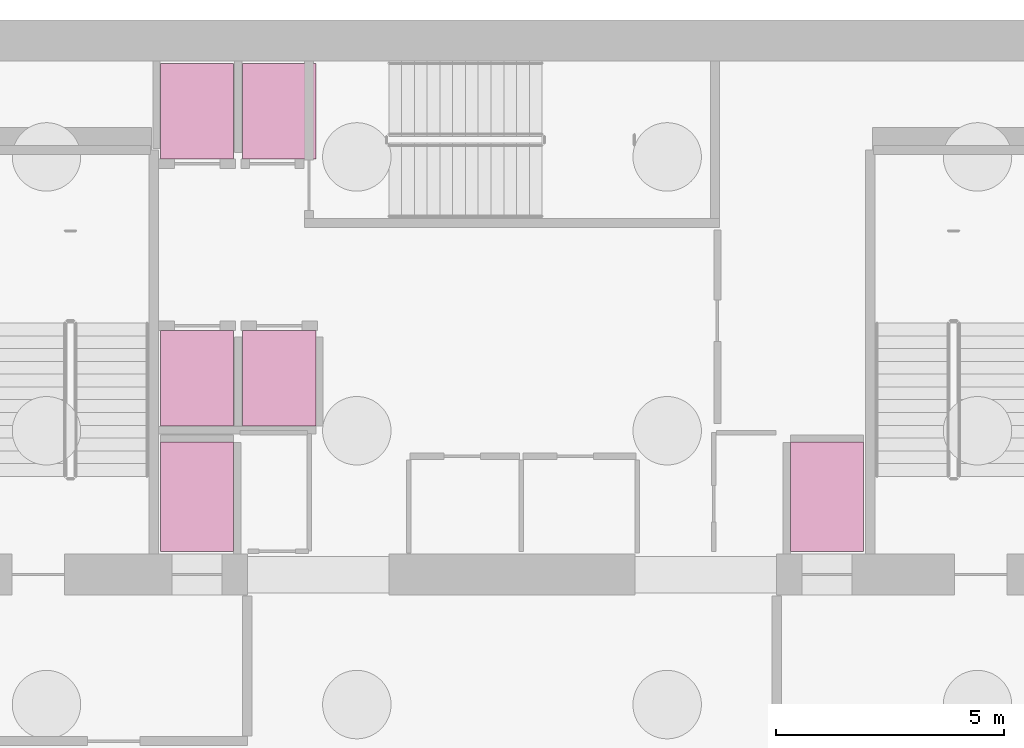
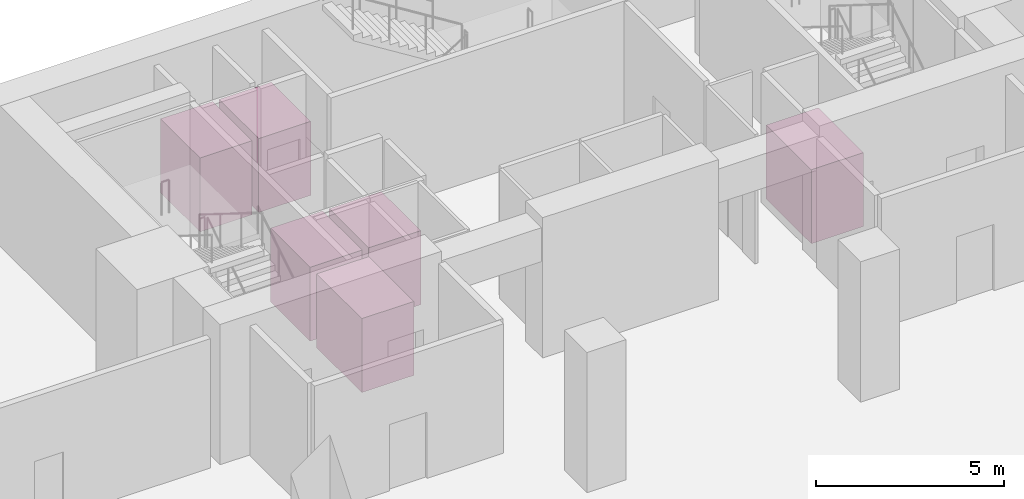
# One storey, part 9 of 9: 6 transport elements.
"""IFC4 building model written with IfcOpenShell, lengths in metres."""

import ifcopenshell
import ifcopenshell.guid

model = None  # the IFC model being written
_history = None  # IfcOwnerHistory: only IFC2X3 demands one
_inside = {}  # id of a spatial element -> (the spatial element, [elements in it])
_under = {}  # id of a project, library or spatial element -> (it, [spatial elements below it])
_declared = {}  # id of a project -> (the project, [libraries it declares])
_typed = {}  # id of a type object -> (the type object, [elements of that type])
_made_of = {}  # id of a material, layer set ... -> (it, [elements and type objects made of it])


def new_model(schema):
    """Start an empty IFC model of exactly this schema.

    Asked for "IFC4X3", IfcOpenShell would pick the latest addendum, in which some entities
    have other attributes; the version numbers below select the first issue.
    IFC2X3 requires an IfcOwnerHistory on every rooted entity: one is made here for all.
    """
    global model, _history
    if schema == "IFC4X3":
        model = ifcopenshell.file(schema_version=(4, 3, 0, 0))
    else:
        model = ifcopenshell.file(schema=schema)
    _inside.clear()
    _under.clear()
    _declared.clear()
    _typed.clear()
    _made_of.clear()
    _history = None
    if model.schema == "IFC2X3":
        org = make("IfcOrganization", Name="unknown")
        user = make(
            "IfcPersonAndOrganization",
            ThePerson=make("IfcPerson", FamilyName="unknown"),
            TheOrganization=org,
        )
        app = make(
            "IfcApplication",
            ApplicationDeveloper=org,
            Version="unknown",
            ApplicationFullName="unknown",
            ApplicationIdentifier="unknown",
        )
        _history = make(
            "IfcOwnerHistory",
            OwningUser=user,
            OwningApplication=app,
            ChangeAction="ADDED",
            CreationDate=0,
        )
    return model


def make(cls, **values):
    """One entity of the class cls with the attributes given. An attribute that is None is left unset."""
    return model.create_entity(
        cls, **{name: value for name, value in values.items() if value is not None}
    )


def rooted(cls, **values):
    """An entity with a GlobalId (a new one), such as an element, a storey or a relation."""
    return make(cls, GlobalId=ifcopenshell.guid.new(), OwnerHistory=_history, **values)


def si_unit(unit_type, name, prefix=None):
    """IfcSIUnit, for example si_unit("LENGTHUNIT", "METRE", prefix="MILLI")."""
    return make("IfcSIUnit", UnitType=unit_type, Prefix=prefix, Name=name)


def assignment(units):
    """IfcUnitAssignment: the units of a project."""
    return None if units is None else make("IfcUnitAssignment", Units=units)


def point(xyz):
    """IfcCartesianPoint."""
    return None if xyz is None else make("IfcCartesianPoint", Coordinates=xyz)


def direction(xyz):
    """IfcDirection."""
    return None if xyz is None else make("IfcDirection", DirectionRatios=xyz)


def frame(location, z_axis=None, x_axis=None):
    """IfcAxis2Placement3D, a coordinate frame: its origin and axes. An axis left out is left unset."""
    return make(
        "IfcAxis2Placement3D",
        Location=point(location),
        Axis=direction(z_axis),
        RefDirection=direction(x_axis),
    )


def frame_2d(location, x_axis=None):
    """IfcAxis2Placement2D, a coordinate frame in the plane: its origin and x axis."""
    return make(
        "IfcAxis2Placement2D", Location=point(location), RefDirection=direction(x_axis)
    )


def origin():
    """The frame at (0, 0, 0) with its axes left unset."""
    return frame((0.0, 0.0, 0.0))


def origin_2d():
    """The frame at (0, 0) in the plane with its x axis left unset."""
    return frame_2d((0.0, 0.0))


def place(relative_to, where):
    """IfcLocalPlacement: puts the frame where relative to a parent placement (None: the world)."""
    return make(
        "IfcLocalPlacement", PlacementRelTo=relative_to, RelativePlacement=where
    )


def context(
    kind, dimensions, precision=None, world=None, true_north=None, identifier=None
):
    """IfcGeometricRepresentationContext, for example the 3D "Model" context."""
    return make(
        "IfcGeometricRepresentationContext",
        ContextIdentifier=identifier,
        ContextType=kind,
        CoordinateSpaceDimension=dimensions,
        Precision=precision,
        WorldCoordinateSystem=world,
        TrueNorth=true_north,
    )


def subcontext(parent, identifier, kind, view, scale=None):
    """IfcGeometricRepresentationSubContext, for example "Body" below "Model"."""
    return make(
        "IfcGeometricRepresentationSubContext",
        ContextIdentifier=identifier,
        ContextType=kind,
        ParentContext=parent,
        TargetScale=scale,
        TargetView=view,
    )


def project(units=None, contexts=None):
    """IfcProject with its units and contexts."""
    return rooted(
        "IfcProject",
        Name="project",
        RepresentationContexts=contexts,
        UnitsInContext=assignment(units),
    )


def spatial(cls, under=None, at=None, **own):
    """A site, building, storey or space (cls), placed at a placement, below another one or the project."""
    s = rooted(cls, ObjectPlacement=at, **own)
    if under is not None:
        _under.setdefault(under.id(), (under, []))[1].append(s)
    return s


def profile(cls, at=None, kind="AREA", **sizes):
    """A parametric profile (cls). Its sizes go by their IFC names, for example OverallWidth=200.0."""
    return make(cls, ProfileType=kind, Position=at, **sizes)


def rectangle(**sizes):
    """IfcRectangleProfileDef."""
    return profile("IfcRectangleProfileDef", **sizes)


def extrude(swept, where, along, depth):
    """IfcExtrudedAreaSolid: the profile swept, set in the frame where, extruded along a direction by depth."""
    return make(
        "IfcExtrudedAreaSolid",
        SweptArea=swept,
        Position=where,
        ExtrudedDirection=direction(along),
        Depth=depth,
    )


def shape(context_of_items, identifier, shape_type, items):
    """IfcShapeRepresentation: the items that make up one representation, for example the "Body"."""
    return make(
        "IfcShapeRepresentation",
        ContextOfItems=context_of_items,
        RepresentationIdentifier=identifier,
        RepresentationType=shape_type,
        Items=items,
    )


def material(Name=None, Category=None):
    """IfcMaterial."""
    return make("IfcMaterial", Name=Name, Category=Category)


def made_of(thing, what):
    """Note that an element or type object is made of a material, layer set ...; save() writes the relation."""
    if what is not None:
        _made_of.setdefault(what.id(), (what, []))[1].append(thing)
    return thing


def type_object(cls, material=None, **own):
    """A type object (cls), such as IfcWallType, which elements share."""
    return made_of(rooted(cls, **own), material)


def element(
    cls,
    number,
    at=None,
    inside=None,
    cuts=None,
    type_object=None,
    material=None,
    context=None,
    identifier="Body",
    shape_type=None,
    held_by="IfcProductDefinitionShape",
    body=None,
    shapes=None,
    **own,
):
    """One element of the class cls, such as IfcWall. Its Tag is "e" and its number.

    at: its placement. inside: the storey or other place that contains it. cuts: it is an
    opening in that element (IfcRelVoidsElement). A single representation is given by context,
    identifier, shape_type and body (its items); several are given by shapes. held_by: the class
    of the entity that holds the representations. save() writes the other relations.
    """
    e = rooted(cls, Tag="e%d" % number, ObjectPlacement=at, **own)
    if body is not None:
        shapes = [shape(context, identifier, shape_type, body)]
    if shapes is not None:
        e.Representation = make(held_by, Representations=shapes)
    if inside is not None:
        _inside.setdefault(inside.id(), (inside, []))[1].append(e)
    if cuts is not None:
        rooted(
            "IfcRelVoidsElement", RelatingBuildingElement=cuts, RelatedOpeningElement=e
        )
    if type_object is not None:
        _typed.setdefault(type_object.id(), (type_object, []))[1].append(e)
    return made_of(e, material)


def aggregate(whole, parts):
    """IfcRelAggregates: a whole, such as a stair, and the parts it consists of."""
    return rooted("IfcRelAggregates", RelatingObject=whole, RelatedObjects=parts)


def save(model, path):
    """Write the relations noted so far, then the file.

    IfcRelAggregates (storeys below a building ...), IfcRelContainedInSpatialStructure (elements
    in a storey), IfcRelDefinesByType, IfcRelAssociatesMaterial and IfcRelDeclares: one each for
    every whole, place, type object, material and project.
    """
    for whole, parts in _under.values():
        aggregate(whole, parts)
    for where, things in _inside.values():
        rooted(
            "IfcRelContainedInSpatialStructure",
            RelatedElements=things,
            RelatingStructure=where,
        )
    for kind, things in _typed.values():
        rooted("IfcRelDefinesByType", RelatedObjects=things, RelatingType=kind)
    for what, things in _made_of.values():
        rooted("IfcRelAssociatesMaterial", RelatedObjects=things, RelatingMaterial=what)
    for by, libraries in _declared.values():
        rooted("IfcRelDeclares", RelatingContext=by, RelatedDefinitions=libraries)
    model.write(path)


model = new_model("IFC4")

# Units and contexts
model_context = context("Model", 3, precision=1e-05, world=origin(), true_north=direction((0.0, 1.0)))
body_context = subcontext(model_context, "Body", "Model", "MODEL_VIEW")
ifc_project = project(units=[si_unit("LENGTHUNIT", "METRE"), si_unit("AREAUNIT", "SQUARE_METRE"), si_unit("VOLUMEUNIT", "CUBIC_METRE"), si_unit("PLANEANGLEUNIT", "RADIAN"), si_unit("MASSUNIT", "GRAM", prefix="KILO")], contexts=[model_context])

# Site, building, storey
site_placement = place(None, origin())
site = spatial("IfcSite", under=ifc_project, at=site_placement, CompositionType="ELEMENT")
building_placement = place(site_placement, origin())
building = spatial("IfcBuilding", under=site, at=building_placement, Name="Maruvema Waterfront Hotel and Observation Tower", CompositionType="ELEMENT")
storey_placement = place(building_placement, frame((0.0, 0.0, -9.800048828125)))
storey = spatial("IfcBuildingStorey", under=building, at=storey_placement, Name="B02", CompositionType="ELEMENT", Elevation=-9.800048828125)

# Transport elements
ifc_material_1 = material(Name="Brushed stainless steel Grade 316", Category="steel")
transport_element_type_1 = type_object("IfcTransportElementType", Name="Firefighting and Stretcher Elevator Car 1600x2400 mm (1800 kg)", PredefinedType="ELEVATOR", material=ifc_material_1)
for number, where, z_axis, x_axis, name in (
    (1, (30.89990234375, 43.550048828125, 0.050048828125), (0.0, 0.0, 1.0), (1.0, 0.0, 0.0), "Firefighting and Stretcher Elevator FL-01"),
    (2, (44.699951171875, 43.550048828125, 0.050048828125), (0.0, 0.0, 1.0), (1.0, 0.0, 0.0), "Firefighting and Stretcher Elevator FL-02"),
):
    element("IfcTransportElement", number, at=place(storey_placement, frame(where, z_axis=z_axis, x_axis=x_axis)), inside=storey, type_object=transport_element_type_1, Name=name, PredefinedType="ELEVATOR", context=body_context, shape_type="SweptSolid", body=[
        extrude(rectangle(XDim=1.60009765625, YDim=2.39990234375, at=origin_2d()), origin(), (0.0, 0.0, 1.0), 2.39990234375),
    ])
ifc_material_2 = material(Name="Brushed stainless steel Grade 316", Category="steel")
transport_element_type_2 = type_object("IfcTransportElementType", Name="Passenger Elevator Car 1600x2100 mm (1600 kg)", PredefinedType="ELEVATOR", material=ifc_material_2)
for number, where, z_axis, x_axis, name in (
    (3, (30.89990234375, 46.14990234375, 0.050048828125), (0.0, 0.0, 1.0), (1.0, 0.0, 0.0), "Passenger Elevator Car LF-01"),
    (4, (32.699951171875, 46.14990234375, 0.050048828125), (0.0, 0.0, 1.0), (1.0, 0.0, 0.0), "Passenger Elevator Car LF-02"),
    (5, (30.89990234375, 52.0, 0.050048828125), (0.0, 0.0, 1.0), (1.0, 0.0, 0.0), "Passenger Elevator Car LF-03"),
    (6, (32.699951171875, 52.0, 0.050048828125), (0.0, 0.0, 1.0), (1.0, 0.0, 0.0), "Passenger Elevator Car LF-04"),
):
    element("IfcTransportElement", number, at=place(storey_placement, frame(where, z_axis=z_axis, x_axis=x_axis)), inside=storey, type_object=transport_element_type_2, Name=name, PredefinedType="ELEVATOR", context=body_context, shape_type="SweptSolid", body=[
        extrude(rectangle(XDim=1.60009765625, YDim=2.10009765625, at=origin_2d()), origin(), (0.0, 0.0, 1.0), 2.39990234375),
    ])

save(model, "model.ifc")
